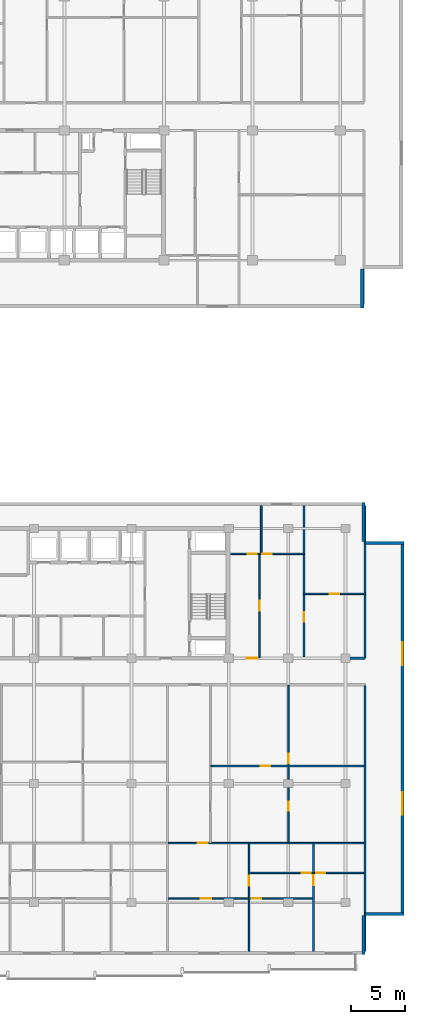
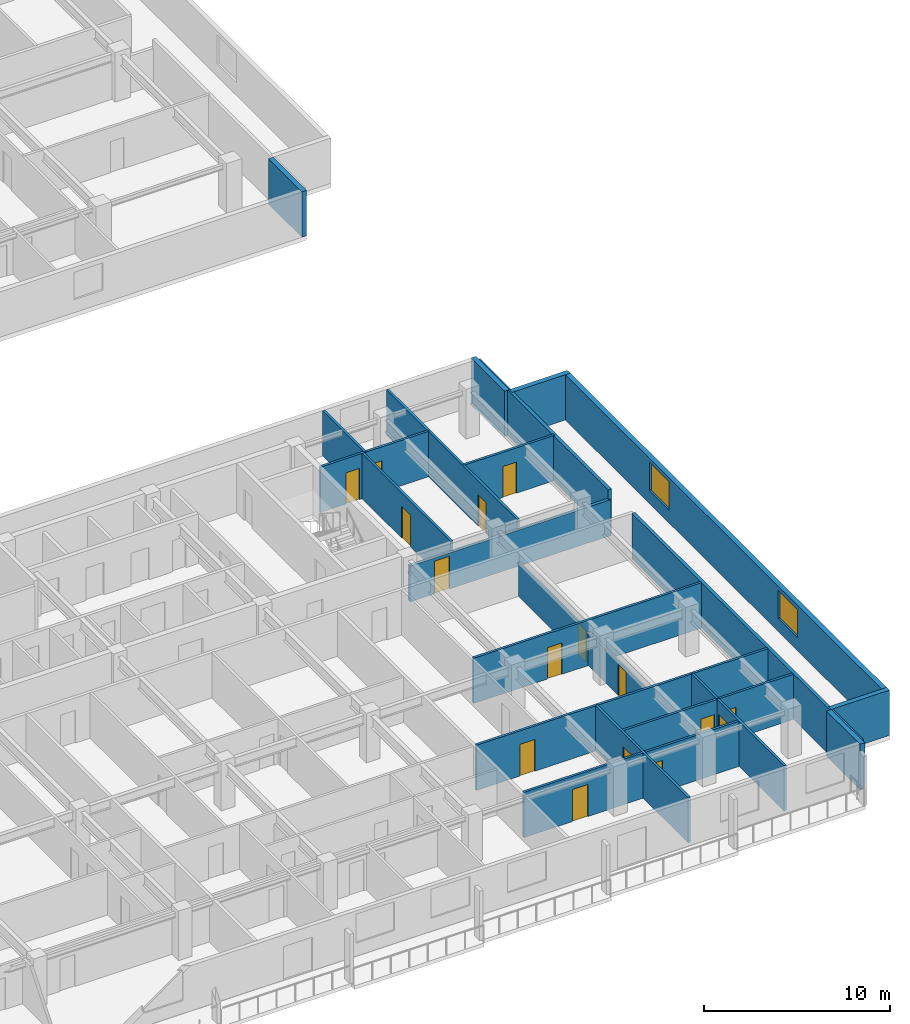
# One storey, part 9 of 21: 22 walls, 16 doors, 2 windows, 18 openings.
"""IFC4 building model written with IfcOpenShell, lengths in metres."""

from ifc_helpers import new_model, si_unit, direction, frame, frame_2d, origin, place, context, subcontext, project, spatial, rectangle, extrude, material, layer, layer_set, type_object, element, fill, save


model = new_model("IFC4")

# Units and contexts
model_context = context("Model", 3, precision=1e-05, world=origin(), true_north=direction((0.0, 1.0)))
body_context = subcontext(model_context, "Body", "Model", "MODEL_VIEW")
ifc_project = project(units=[si_unit("LENGTHUNIT", "METRE"), si_unit("AREAUNIT", "SQUARE_METRE"), si_unit("VOLUMEUNIT", "CUBIC_METRE"), si_unit("PLANEANGLEUNIT", "RADIAN"), si_unit("MASSUNIT", "GRAM", prefix="KILO")], contexts=[model_context])

# Site, building, storey
site_placement = place(None, origin())
site = spatial("IfcSite", under=ifc_project, at=site_placement, CompositionType="ELEMENT")
building_placement = place(site_placement, origin())
building = spatial("IfcBuilding", under=site, at=building_placement, Name="Korimba Cascade Residences", CompositionType="ELEMENT")
storey_placement = place(building_placement, frame((0.0, 0.0, 116.550048828125)))
storey = spatial("IfcBuildingStorey", under=building, at=storey_placement, Name="L33", CompositionType="ELEMENT", Elevation=116.550048828125)

# Walls
ifc_material_1 = material(Name="Precast concrete C40/50", Category="concrete")
ifc_layer_1 = layer(ifc_material_1, 0.300048828125)
ifc_layer_set_1 = layer_set([ifc_layer_1], Name="Precast concrete C40/50")
wall_type_1 = type_object("IfcWallType", Name="EW-STONE-300", PredefinedType="STANDARD", material=ifc_layer_set_1)
wall_1_placement = place(storey_placement, frame((130.449951171875, 50.800048828125, 0.0), z_axis=(0.0, 0.0, 1.0), x_axis=(0.0, 1.0, 0.0)))
element("IfcWall", 1, at=wall_1_placement, inside=storey, type_object=wall_type_1, Name="L33 T1 Perimeter Stone Wall E01", PredefinedType="STANDARD", context=body_context, shape_type="SweptSolid", body=[
    extrude(rectangle(XDim=3.599853515625, YDim=0.300048828125, at=frame_2d((1.7998046875, 0.0))), origin(), (0.0, 0.0, 1.0), 2.969970703125),
])
for number, where, z_axis, x_axis, name in (
    (2, (130.550048828125, -9.0, 0.0), (0.0, 0.0, 1.0), (0.0, 1.0, 0.0), "L33 T2 Perimeter Stone Wall E01"),
    (3, (130.699951171875, -5.25, 0.0), (0.0, 0.0, 1.0), (1.0, 0.0, 0.0), "L33 T2 Perimeter Stone Wall E02"),
):
    element("IfcWall", number, at=place(storey_placement, frame(where, z_axis=z_axis, x_axis=x_axis)), inside=storey, type_object=wall_type_1, Name=name, PredefinedType="STANDARD", context=body_context, shape_type="SweptSolid", body=[
        extrude(rectangle(XDim=3.60009765625, YDim=0.300048828125, at=frame_2d((1.800048828125, 0.0))), origin(), (0.0, 0.0, 1.0), 2.969970703125),
    ])

# Wall, openings, windows
wall_2_placement = place(storey_placement, frame((134.14990234375, -5.39990234375, 0.0), z_axis=(0.0, 0.0, 1.0), x_axis=(0.0, 1.0, 0.0)))
wall_2 = element("IfcWall", 4, at=wall_2_placement, inside=storey, type_object=wall_type_1, Name="L33 T2 Perimeter Stone Wall E03", PredefinedType="STANDARD", context=body_context, shape_type="SweptSolid", body=[
    extrude(rectangle(XDim=34.599853515625, YDim=0.300048828125, at=frame_2d((17.2998046875, 0.0))), origin(), (0.0, 0.0, 1.0), 2.969970703125),
])
opening_1_placement = place(wall_2_placement, frame((9.330078125, 0.0, 0.85009765625)))
opening_1 = element("IfcOpeningElement", 5, at=opening_1_placement, cuts=wall_2, Name="Opening W-03", PredefinedType="OPENING", context=body_context, shape_type="SweptSolid", body=[
    extrude(rectangle(XDim=2.10009765625, YDim=1.85009765625, at=frame_2d((1.050048828125, 0.925048828125))), frame((0.0, 0.16015625, 0.0), z_axis=(0.0, -1.0, 0.0), x_axis=(1.0, 0.0, 0.0)), (0.0, 0.0, 1.0), 0.320068359375),
])
opening_2_placement = place(wall_2_placement, frame((23.169921875, 0.0, 0.85009765625)))
opening_2 = element("IfcOpeningElement", 6, at=opening_2_placement, cuts=wall_2, Name="Opening W-03", PredefinedType="OPENING", context=body_context, shape_type="SweptSolid", body=[
    extrude(rectangle(XDim=2.10009765625, YDim=1.85009765625, at=frame_2d((1.050048828125, 0.925048828125))), frame((0.0, 0.16015625, 0.0), z_axis=(0.0, -1.0, 0.0), x_axis=(1.0, 0.0, 0.0)), (0.0, 0.0, 1.0), 0.320068359375),
])
ifc_material_2 = material(Name="Double-Glazed Aluminium Window", Category="aluminium")
window_type = type_object("IfcWindowType", Name="WIN-CRN-2100", PartitioningType="DOUBLE_PANEL_HORIZONTAL", PredefinedType="WINDOW", material=ifc_material_2)
window_1_placement = place(opening_1_placement, origin())
window_1 = element("IfcWindow", 7, at=window_1_placement, inside=storey, type_object=window_type, Name="L33 T2 End View Window 3.1", OverallHeight=1.85009765625, OverallWidth=2.10009765625, PartitioningType="DOUBLE_PANEL_HORIZONTAL", PredefinedType="WINDOW", context=body_context, shape_type="SweptSolid", body=[
    extrude(rectangle(XDim=2.10009765625, YDim=1.85009765625, at=frame_2d((1.050048828125, 0.925048828125))), frame((0.0, 0.030029296875, 0.0), z_axis=(0.0, -1.0, 0.0), x_axis=(1.0, 0.0, 0.0)), (0.0, 0.0, 1.0), 0.06005859375),
])
fill(opening_1, window_1)
window_2_placement = place(opening_2_placement, origin())
window_2 = element("IfcWindow", 8, at=window_2_placement, inside=storey, type_object=window_type, Name="L33 T2 End View Window 3.2", OverallHeight=1.85009765625, OverallWidth=2.10009765625, PartitioningType="DOUBLE_PANEL_HORIZONTAL", PredefinedType="WINDOW", context=body_context, shape_type="SweptSolid", body=[
    extrude(rectangle(XDim=2.10009765625, YDim=1.85009765625, at=frame_2d((1.050048828125, 0.925048828125))), frame((0.0, 0.030029296875, 0.0), z_axis=(0.0, -1.0, 0.0), x_axis=(1.0, 0.0, 0.0)), (0.0, 0.0, 1.0), 0.06005859375),
])
fill(opening_2, window_2)

# Walls
for number, where, z_axis, x_axis, name in (
    (9, (134.300048828125, 29.050048828125, 0.0), (0.0, 0.0, 1.0), (-1.0, 0.0, 0.0), "L33 T2 Perimeter Stone Wall E04"),
    (10, (130.550048828125, 29.199951171875, 0.0), (0.0, 0.0, 1.0), (0.0, 1.0, 0.0), "L33 T2 Perimeter Stone Wall E05"),
):
    element("IfcWall", number, at=place(storey_placement, frame(where, z_axis=z_axis, x_axis=x_axis)), inside=storey, type_object=wall_type_1, Name=name, PredefinedType="STANDARD", context=body_context, shape_type="SweptSolid", body=[
        extrude(rectangle(XDim=3.60009765625, YDim=0.300048828125, at=frame_2d((1.800048828125, 0.0))), origin(), (0.0, 0.0, 1.0), 2.969970703125),
    ])
ifc_layer_2 = layer(ifc_material_1, 0.199951171875)
ifc_layer_set_2 = layer_set([ifc_layer_2], Name="Precast concrete C40/50")
wall_type_2 = type_object("IfcWallType", Name="WAL-IT-200", PredefinedType="PARTITIONING", material=ifc_layer_set_2)
wall_3_placement = place(storey_placement, frame((130.699951171875, 18.39990234375, 0.0), z_axis=(0.0, 0.0, 1.0), x_axis=(0.0, 1.0, 0.0)))
element("IfcWall", 11, at=wall_3_placement, inside=storey, type_object=wall_type_2, Name="L33 Partition Wall WAL-L33-T2-FE-WR", PredefinedType="PARTITIONING", context=body_context, shape_type="SweptSolid", body=[
    extrude(rectangle(XDim=14.10009765625, YDim=0.199951171875, at=frame_2d((7.050048828125, 0.0))), origin(), (0.0, 0.0, 1.0), 2.969970703125),
])

# Wall, opening, door
wall_4_placement = place(storey_placement, frame((118.25, 18.39990234375, 0.0), z_axis=(0.0, 0.0, 1.0), x_axis=(1.0, 0.0, 0.0)))
wall_4 = element("IfcWall", 12, at=wall_4_placement, inside=storey, type_object=wall_type_2, Name="L33 Partition Wall WAL-L33-T2-FE-S", PredefinedType="PARTITIONING", context=body_context, shape_type="SweptSolid", body=[
    extrude(rectangle(XDim=12.449951171875, YDim=0.199951171875, at=frame_2d((6.22509765625, 0.0))), origin(), (0.0, 0.0, 1.0), 2.357666015625),
])
opening_3_placement = place(wall_4_placement, frame((1.510009765625, 0.0, 0.0)))
opening_3 = element("IfcOpeningElement", 13, at=opening_3_placement, cuts=wall_4, Name="Opening D-UN1", PredefinedType="OPENING", context=body_context, shape_type="SweptSolid", body=[
    extrude(rectangle(XDim=0.949951171875, YDim=2.14990234375, at=frame_2d((0.47509765625, 1.074951171875))), frame((0.0, 0.10986328125, 0.0), z_axis=(0.0, -1.0, 0.0), x_axis=(1.0, 0.0, 0.0)), (0.0, 0.0, 1.0), 0.219970703125),
])
ifc_material_3 = material(Name="Fire-Rated Hardwood Apartment Entrance Door", Category="wood")
door_type_1 = type_object("IfcDoorType", Name="DR-FD60-950", OperationType="NOTDEFINED", PredefinedType="DOOR", material=ifc_material_3)
door_1_placement = place(opening_3_placement, origin())
door_1 = element("IfcDoor", 14, at=door_1_placement, inside=storey, type_object=door_type_1, Name="L33-T2-FE Entrance Door", OperationType="SINGLE_SWING_LEFT", OverallHeight=2.14990234375, OverallWidth=0.949951171875, PredefinedType="DOOR", context=body_context, shape_type="SweptSolid", body=[
    extrude(rectangle(XDim=0.949951171875, YDim=2.14990234375, at=frame_2d((0.47509765625, 1.074951171875))), frame((0.0, 0.02490234375, 0.0), z_axis=(0.0, -1.0, 0.0), x_axis=(1.0, 0.0, 0.0)), (0.0, 0.0, 1.0), 0.050048828125),
])
fill(opening_3, door_1)

# Wall
wall_5_placement = place(storey_placement, frame((130.699951171875, -8.699951171875, 0.0), z_axis=(0.0, 0.0, 1.0), x_axis=(0.0, 1.0, 0.0)))
element("IfcWall", 15, at=wall_5_placement, inside=storey, type_object=wall_type_2, Name="L33 Partition Wall WAL-L33-T2-BNDWR", PredefinedType="PARTITIONING", context=body_context, shape_type="SweptSolid", body=[
    extrude(rectangle(XDim=24.570068359375, YDim=0.199951171875, at=frame_2d((12.28515625, 0.0))), origin(), (0.0, 0.0, 1.0), 2.969970703125),
])

# Wall, opening, door
ifc_material_4 = material(Name="Insulated Acoustic Stud Partition", Category="gypsum")
ifc_layer_3 = layer(ifc_material_4, 0.14990234375)
ifc_layer_set_3 = layer_set([ifc_layer_3], Name="Insulated Acoustic Stud Partition")
wall_type_3 = type_object("IfcWallType", Name="WAL-PART-150", PredefinedType="PARTITIONING", material=ifc_layer_set_3)
wall_6_placement = place(storey_placement, frame((125.050048828125, 24.35009765625, 0.0), z_axis=(0.0, 0.0, 1.0), x_axis=(1.0, 0.0, 0.0)))
wall_6 = element("IfcWall", 16, at=wall_6_placement, inside=storey, type_object=wall_type_3, Name="L33 Partition Wall WAL-L33-T2-FE-STH", PredefinedType="PARTITIONING", context=body_context, shape_type="SweptSolid", body=[
    extrude(rectangle(XDim=5.64990234375, YDim=0.14990234375, at=frame_2d((2.824951171875, 0.0))), origin(), (0.0, 0.0, 1.0), 2.969970703125),
])
opening_4_placement = place(wall_6_placement, frame((2.405029296875, 0.0, 0.0)))
opening_4 = element("IfcOpeningElement", 17, at=opening_4_placement, cuts=wall_6, Name="Opening D-BT1", PredefinedType="OPENING", context=body_context, shape_type="SweptSolid", body=[
    extrude(rectangle(XDim=0.840087890625, YDim=2.0400390625, at=frame_2d((0.419921875, 1.02001953125))), frame((0.0, 0.0849609375, 0.0), z_axis=(0.0, -1.0, 0.0), x_axis=(1.0, 0.0, 0.0)), (0.0, 0.0, 1.0), 0.169921875),
])
ifc_material_5 = material(Name="Moisture-Resistant Bathroom Timber Door", Category="wood")
door_type_2 = type_object("IfcDoorType", Name="DR-INT-850", OperationType="NOTDEFINED", PredefinedType="DOOR", material=ifc_material_5)
door_2_placement = place(opening_4_placement, origin())
door_2 = element("IfcDoor", 18, at=door_2_placement, inside=storey, type_object=door_type_2, Name="L33-T2-FE Dressing Store Door", OperationType="SINGLE_SWING_RIGHT", OverallHeight=2.0400390625, OverallWidth=0.840087890625, PredefinedType="DOOR", context=body_context, shape_type="SweptSolid", body=[
    extrude(rectangle(XDim=0.840087890625, YDim=2.0400390625, at=frame_2d((0.419921875, 1.02001953125))), frame((0.0, 0.02490234375, 0.0), z_axis=(0.0, -1.0, 0.0), x_axis=(1.0, 0.0, 0.0)), (0.0, 0.0, 1.0), 0.050048828125),
])
fill(opening_4, door_2)

wall_7_placement = place(storey_placement, frame((125.050048828125, 18.449951171875, 0.0), z_axis=(0.0, 0.0, 1.0), x_axis=(0.0, 1.0, 0.0)))
wall_7 = element("IfcWall", 19, at=wall_7_placement, inside=storey, type_object=wall_type_3, Name="L33 Partition Wall WAL-L33-T2-FE-STV", PredefinedType="PARTITIONING", context=body_context, shape_type="SweptSolid", body=[
    extrude(rectangle(XDim=14.050048828125, YDim=0.14990234375, at=frame_2d((7.02490234375, 0.0))), origin(), (0.0, 0.0, 1.0), 2.969970703125),
])
opening_5_placement = place(wall_7_placement, frame((3.320068359375, 0.0, 0.0)))
opening_5 = element("IfcOpeningElement", 20, at=opening_5_placement, cuts=wall_7, Name="Opening D-IN2", PredefinedType="OPENING", context=body_context, shape_type="SweptSolid", body=[
    extrude(rectangle(XDim=0.8798828125, YDim=2.06005859375, at=frame_2d((0.43994140625, 1.030029296875))), frame((0.0, 0.0849609375, 0.0), z_axis=(0.0, -1.0, 0.0), x_axis=(1.0, 0.0, 0.0)), (0.0, 0.0, 1.0), 0.169921875),
])
ifc_material_6 = material(Name="Acoustic Timber Bedroom Door", Category="wood")
door_type_3 = type_object("IfcDoorType", Name="DR-INT-880", OperationType="NOTDEFINED", PredefinedType="DOOR", material=ifc_material_6)
door_3_placement = place(opening_5_placement, origin())
door_3 = element("IfcDoor", 21, at=door_3_placement, inside=storey, type_object=door_type_3, Name="L33-T2-FE Study Door", OperationType="SINGLE_SWING_LEFT", OverallHeight=2.06005859375, OverallWidth=0.8798828125, PredefinedType="DOOR", context=body_context, shape_type="SweptSolid", body=[
    extrude(rectangle(XDim=0.8798828125, YDim=2.06005859375, at=frame_2d((0.43994140625, 1.030029296875))), frame((0.0, 0.02490234375, 0.0), z_axis=(0.0, -1.0, 0.0), x_axis=(1.0, 0.0, 0.0)), (0.0, 0.0, 1.0), 0.050048828125),
])
fill(opening_5, door_3)

wall_8_placement = place(storey_placement, frame((120.929931640625, 18.449951171875, 0.0), z_axis=(0.0, 0.0, 1.0), x_axis=(0.0, 1.0, 0.0)))
wall_8 = element("IfcWall", 22, at=wall_8_placement, inside=storey, type_object=wall_type_3, Name="L33 Partition Wall WAL-L33-T2-FE-VS", PredefinedType="PARTITIONING", context=body_context, shape_type="SweptSolid", body=[
    extrude(rectangle(XDim=9.60009765625, YDim=0.14990234375, at=frame_2d((4.800048828125, 0.0))), origin(), (0.0, 0.0, 1.0), 2.969970703125),
])
opening_6_placement = place(wall_8_placement, frame((4.340087890625, 0.0, 0.0)))
opening_6 = element("IfcOpeningElement", 23, at=opening_6_placement, cuts=wall_8, Name="Opening D-IN1", PredefinedType="OPENING", context=body_context, shape_type="SweptSolid", body=[
    extrude(rectangle(XDim=0.919921875, YDim=2.080078125, at=frame_2d((0.4599609375, 1.0400390625))), frame((0.0, 0.0849609375, 0.0), z_axis=(0.0, -1.0, 0.0), x_axis=(1.0, 0.0, 0.0)), (0.0, 0.0, 1.0), 0.169921875),
])
ifc_material_7 = material(Name="Acoustic Timber Living Door", Category="wood")
door_type_4 = type_object("IfcDoorType", Name="DR-INT-920", OperationType="NOTDEFINED", PredefinedType="DOOR", material=ifc_material_7)
door_4_placement = place(opening_6_placement, origin())
door_4 = element("IfcDoor", 24, at=door_4_placement, inside=storey, type_object=door_type_4, Name="L33-T2-FE Living Door", OperationType="SINGLE_SWING_RIGHT", OverallHeight=2.080078125, OverallWidth=0.919921875, PredefinedType="DOOR", context=body_context, shape_type="SweptSolid", body=[
    extrude(rectangle(XDim=0.919921875, YDim=2.080078125, at=frame_2d((0.4599609375, 1.0400390625))), frame((0.0, 0.02490234375, 0.0), z_axis=(0.0, -1.0, 0.0), x_axis=(1.0, 0.0, 0.0)), (0.0, 0.0, 1.0), 0.050048828125),
])
fill(opening_6, door_4)

# Wall
wall_9_placement = place(storey_placement, frame((121.10009765625, 28.050048828125, 0.0), z_axis=(0.0, 0.0, 1.0), x_axis=(0.0, 1.0, 0.0)))
element("IfcWall", 25, at=wall_9_placement, inside=storey, type_object=wall_type_3, Name="L33 Partition Wall WAL-L33-T2-FE-VN", PredefinedType="PARTITIONING", context=body_context, shape_type="SweptSolid", body=[
    extrude(rectangle(XDim=4.449951171875, YDim=0.14990234375, at=frame_2d((2.22509765625, 0.0))), origin(), (0.0, 0.0, 1.0), 2.969970703125),
])

# Wall, openings, doors
wall_10_placement = place(storey_placement, frame((118.27001953125, 28.050048828125, 0.0), z_axis=(0.0, 0.0, 1.0), x_axis=(1.0, 0.0, 0.0)))
wall_10 = element("IfcWall", 26, at=wall_10_placement, inside=storey, type_object=wall_type_3, Name="L33 Partition Wall WAL-L33-T2-FE-H", PredefinedType="PARTITIONING", context=body_context, shape_type="SweptSolid", body=[
    extrude(rectangle(XDim=6.760009765625, YDim=0.14990234375, at=frame_2d((3.3798828125, 0.0))), origin(), (0.0, 0.0, 1.0), 2.969970703125),
])
opening_7_placement = place(wall_10_placement, frame((1.58740234375, 0.0, 0.0)))
opening_7 = element("IfcOpeningElement", 27, at=opening_7_placement, cuts=wall_10, Name="Opening D-BT1", PredefinedType="OPENING", context=body_context, shape_type="SweptSolid", body=[
    extrude(rectangle(XDim=0.840087890625, YDim=2.0400390625, at=frame_2d((0.419921875, 1.02001953125))), frame((0.0, 0.0849609375, 0.0), z_axis=(0.0, -1.0, 0.0), x_axis=(1.0, 0.0, 0.0)), (0.0, 0.0, 1.0), 0.169921875),
])
opening_8_placement = place(wall_10_placement, frame((2.93994140625, 0.0, 0.0)))
opening_8 = element("IfcOpeningElement", 28, at=opening_8_placement, cuts=wall_10, Name="Opening D-IN2", PredefinedType="OPENING", context=body_context, shape_type="SweptSolid", body=[
    extrude(rectangle(XDim=0.8798828125, YDim=2.06005859375, at=frame_2d((0.43994140625, 1.030029296875))), frame((0.0, 0.0849609375, 0.0), z_axis=(0.0, -1.0, 0.0), x_axis=(1.0, 0.0, 0.0)), (0.0, 0.0, 1.0), 0.169921875),
])
door_5_placement = place(opening_7_placement, origin())
door_5 = element("IfcDoor", 29, at=door_5_placement, inside=storey, type_object=door_type_2, Name="L33-T2-FE Bathroom Door", OperationType="SINGLE_SWING_LEFT", OverallHeight=2.0400390625, OverallWidth=0.840087890625, PredefinedType="DOOR", context=body_context, shape_type="SweptSolid", body=[
    extrude(rectangle(XDim=0.840087890625, YDim=2.0400390625, at=frame_2d((0.419921875, 1.02001953125))), frame((0.0, 0.02490234375, 0.0), z_axis=(0.0, -1.0, 0.0), x_axis=(1.0, 0.0, 0.0)), (0.0, 0.0, 1.0), 0.050048828125),
])
fill(opening_7, door_5)
door_6_placement = place(opening_8_placement, origin())
door_6 = element("IfcDoor", 30, at=door_6_placement, inside=storey, type_object=door_type_3, Name="L33-T2-FE Bedroom Door", OperationType="SINGLE_SWING_RIGHT", OverallHeight=2.06005859375, OverallWidth=0.8798828125, PredefinedType="DOOR", context=body_context, shape_type="SweptSolid", body=[
    extrude(rectangle(XDim=0.8798828125, YDim=2.06005859375, at=frame_2d((0.43994140625, 1.030029296875))), frame((0.0, 0.02490234375, 0.0), z_axis=(0.0, -1.0, 0.0), x_axis=(1.0, 0.0, 0.0)), (0.0, 0.0, 1.0), 0.050048828125),
])
fill(opening_8, door_6)

wall_11_placement = place(storey_placement, frame((123.636474609375, 1.340087890625, 0.0), z_axis=(0.0, 0.0, 1.0), x_axis=(0.0, 1.0, 0.0)))
wall_11 = element("IfcWall", 31, at=wall_11_placement, inside=storey, type_object=wall_type_3, Name="L33 Partition Wall WAL-L33-T2-U03-FMV", PredefinedType="PARTITIONING", context=body_context, shape_type="SweptSolid", body=[
    extrude(rectangle(XDim=14.5498046875, YDim=0.14990234375, at=frame_2d((7.27490234375, 0.0))), origin(), (0.0, 0.0, 1.0), 2.2001953125),
])
opening_9_placement = place(wall_11_placement, frame((2.951416015625, 0.0, 0.0)))
opening_9 = element("IfcOpeningElement", 32, at=opening_9_placement, cuts=wall_11, Name="Opening D-BT1", PredefinedType="OPENING", context=body_context, shape_type="SweptSolid", body=[
    extrude(rectangle(XDim=0.840087890625, YDim=2.0400390625, at=frame_2d((0.419921875, 1.02001953125))), frame((0.0, 0.0849609375, 0.0), z_axis=(0.0, -1.0, 0.0), x_axis=(1.0, 0.0, 0.0)), (0.0, 0.0, 1.0), 0.169921875),
])
opening_10_placement = place(wall_11_placement, frame((7.344970703125, 0.0, 0.0)))
opening_10 = element("IfcOpeningElement", 33, at=opening_10_placement, cuts=wall_11, Name="Opening D-IN2", PredefinedType="OPENING", context=body_context, shape_type="SweptSolid", body=[
    extrude(rectangle(XDim=0.8798828125, YDim=2.06005859375, at=frame_2d((0.43994140625, 1.030029296875))), frame((0.0, 0.0849609375, 0.0), z_axis=(0.0, -1.0, 0.0), x_axis=(1.0, 0.0, 0.0)), (0.0, 0.0, 1.0), 0.169921875),
])
door_7_placement = place(opening_9_placement, origin())
door_7 = element("IfcDoor", 34, at=door_7_placement, inside=storey, type_object=door_type_2, Name="L33-T2-U03 Wardrobe Door", OperationType="SINGLE_SWING_LEFT", OverallHeight=2.0400390625, OverallWidth=0.840087890625, PredefinedType="DOOR", context=body_context, shape_type="SweptSolid", body=[
    extrude(rectangle(XDim=0.840087890625, YDim=2.0400390625, at=frame_2d((0.419921875, 1.02001953125))), frame((0.0, 0.02490234375, 0.0), z_axis=(0.0, -1.0, 0.0), x_axis=(1.0, 0.0, 0.0)), (0.0, 0.0, 1.0), 0.050048828125),
])
fill(opening_9, door_7)
door_8_placement = place(opening_10_placement, origin())
door_8 = element("IfcDoor", 35, at=door_8_placement, inside=storey, type_object=door_type_3, Name="L33-T2-U03 Music Lounge Door", OperationType="SINGLE_SWING_RIGHT", OverallHeight=2.06005859375, OverallWidth=0.8798828125, PredefinedType="DOOR", context=body_context, shape_type="SweptSolid", body=[
    extrude(rectangle(XDim=0.8798828125, YDim=2.06005859375, at=frame_2d((0.43994140625, 1.030029296875))), frame((0.0, 0.02490234375, 0.0), z_axis=(0.0, -1.0, 0.0), x_axis=(1.0, 0.0, 0.0)), (0.0, 0.0, 1.0), 0.050048828125),
])
fill(opening_10, door_8)

# Wall, opening, door
wall_12_placement = place(storey_placement, frame((116.45263671875, 8.43505859375, 0.0), z_axis=(0.0, 0.0, 1.0), x_axis=(1.0, 0.0, 0.0)))
wall_12 = element("IfcWall", 36, at=wall_12_placement, inside=storey, type_object=wall_type_3, Name="L33 Partition Wall WAL-L33-T2-U03-FMH", PredefinedType="PARTITIONING", context=body_context, shape_type="SweptSolid", body=[
    extrude(rectangle(XDim=14.16748046875, YDim=0.14990234375, at=frame_2d((7.083740234375, 0.0))), origin(), (0.0, 0.0, 1.0), 2.969970703125),
])
opening_11_placement = place(wall_12_placement, frame((4.593017578125, 0.0, 0.0)))
opening_11 = element("IfcOpeningElement", 37, at=opening_11_placement, cuts=wall_12, Name="Opening D-IN2", PredefinedType="OPENING", context=body_context, shape_type="SweptSolid", body=[
    extrude(rectangle(XDim=0.8798828125, YDim=2.06005859375, at=frame_2d((0.43994140625, 1.030029296875))), frame((0.0, 0.0849609375, 0.0), z_axis=(0.0, -1.0, 0.0), x_axis=(1.0, 0.0, 0.0)), (0.0, 0.0, 1.0), 0.169921875),
])
door_9_placement = place(opening_11_placement, origin())
door_9 = element("IfcDoor", 38, at=door_9_placement, inside=storey, type_object=door_type_3, Name="L33-T2-U03 Library Salon Door", OperationType="SINGLE_SWING_LEFT", OverallHeight=2.06005859375, OverallWidth=0.8798828125, PredefinedType="DOOR", context=body_context, shape_type="SweptSolid", body=[
    extrude(rectangle(XDim=0.8798828125, YDim=2.06005859375, at=frame_2d((0.43994140625, 1.030029296875))), frame((0.0, 0.02490234375, 0.0), z_axis=(0.0, -1.0, 0.0), x_axis=(1.0, 0.0, 0.0)), (0.0, 0.0, 1.0), 0.050048828125),
])
fill(opening_11, door_9)

wall_13_placement = place(storey_placement, frame((119.97998046875, -8.699951171875, 0.0), z_axis=(0.0, 0.0, 1.0), x_axis=(0.0, 1.0, 0.0)))
wall_13 = element("IfcWall", 39, at=wall_13_placement, inside=storey, type_object=wall_type_3, Name="L33 Partition Wall WAL-L33-T2-U03-V1", PredefinedType="PARTITIONING", context=body_context, shape_type="SweptSolid", body=[
    extrude(rectangle(XDim=9.9599609375, YDim=0.14990234375, at=frame_2d((4.97998046875, 0.0))), origin(), (0.0, 0.0, 1.0), 2.969970703125),
])
opening_12_placement = place(wall_13_placement, frame((6.050048828125, 0.0, 0.0)))
opening_12 = element("IfcOpeningElement", 40, at=opening_12_placement, cuts=wall_13, Name="Opening D-IN1", PredefinedType="OPENING", context=body_context, shape_type="SweptSolid", body=[
    extrude(rectangle(XDim=0.919921875, YDim=2.080078125, at=frame_2d((0.4599609375, 1.0400390625))), frame((0.0, 0.0849609375, 0.0), z_axis=(0.0, -1.0, 0.0), x_axis=(1.0, 0.0, 0.0)), (0.0, 0.0, 1.0), 0.169921875),
])
door_10_placement = place(opening_12_placement, origin())
door_10 = element("IfcDoor", 41, at=door_10_placement, inside=storey, type_object=door_type_4, Name="L33-T2-U03 Hallway Door", OperationType="SINGLE_SWING_LEFT", OverallHeight=2.080078125, OverallWidth=0.919921875, PredefinedType="DOOR", context=body_context, shape_type="SweptSolid", body=[
    extrude(rectangle(XDim=0.919921875, YDim=2.080078125, at=frame_2d((0.4599609375, 1.0400390625))), frame((0.0, 0.02490234375, 0.0), z_axis=(0.0, -1.0, 0.0), x_axis=(1.0, 0.0, 0.0)), (0.0, 0.0, 1.0), 0.050048828125),
])
fill(opening_12, door_10)

# Wall
wall_14_placement = place(storey_placement, frame((125.929931640625, -1.429931640625, 0.0), z_axis=(0.0, 0.0, 1.0), x_axis=(0.0, 1.0, 0.0)))
element("IfcWall", 42, at=wall_14_placement, inside=storey, type_object=wall_type_3, Name="L33 Partition Wall WAL-L33-T2-U03-VBATH", PredefinedType="PARTITIONING", context=body_context, shape_type="SweptSolid", body=[
    extrude(rectangle(XDim=2.68994140625, YDim=0.14990234375, at=frame_2d((1.344970703125, 0.0))), origin(), (0.0, 0.0, 1.0), 2.969970703125),
])

# Wall, opening, door
wall_15_placement = place(storey_placement, frame((125.929931640625, -8.699951171875, 0.0), z_axis=(0.0, 0.0, 1.0), x_axis=(0.0, 1.0, 0.0)))
wall_15 = element("IfcWall", 43, at=wall_15_placement, inside=storey, type_object=wall_type_3, Name="L33 Partition Wall WAL-L33-T2-U03-V2FULL", PredefinedType="PARTITIONING", context=body_context, shape_type="SweptSolid", body=[
    extrude(rectangle(XDim=7.22998046875, YDim=0.14990234375, at=frame_2d((3.614990234375, 0.0))), origin(), (0.0, 0.0, 1.0), 2.969970703125),
])
opening_13_placement = place(wall_15_placement, frame((6.110107421875, 0.0, 0.0)))
opening_13 = element("IfcOpeningElement", 44, at=opening_13_placement, cuts=wall_15, Name="Opening D-IN1", PredefinedType="OPENING", context=body_context, shape_type="SweptSolid", body=[
    extrude(rectangle(XDim=0.919921875, YDim=2.080078125, at=frame_2d((0.4599609375, 1.0400390625))), frame((0.0, 0.0849609375, 0.0), z_axis=(0.0, -1.0, 0.0), x_axis=(1.0, 0.0, 0.0)), (0.0, 0.0, 1.0), 0.169921875),
])
door_11_placement = place(opening_13_placement, origin())
door_11 = element("IfcDoor", 45, at=door_11_placement, inside=storey, type_object=door_type_4, Name="L33-T2-U03 Master Bedroom Door", OperationType="SINGLE_SWING_RIGHT", OverallHeight=2.080078125, OverallWidth=0.919921875, PredefinedType="DOOR", context=body_context, shape_type="SweptSolid", body=[
    extrude(rectangle(XDim=0.919921875, YDim=2.080078125, at=frame_2d((0.4599609375, 1.0400390625))), frame((0.0, 0.02490234375, 0.0), z_axis=(0.0, -1.0, 0.0), x_axis=(1.0, 0.0, 0.0)), (0.0, 0.0, 1.0), 0.050048828125),
])
fill(opening_13, door_11)

# Wall, openings, doors
wall_16_placement = place(storey_placement, frame((120.02001953125, -1.449951171875, 0.0), z_axis=(0.0, 0.0, 1.0), x_axis=(1.0, 0.0, 0.0)))
wall_16 = element("IfcWall", 46, at=wall_16_placement, inside=storey, type_object=wall_type_3, Name="L33 Partition Wall WAL-L33-T2-U03-HWALL", PredefinedType="PARTITIONING", context=body_context, shape_type="SweptSolid", body=[
    extrude(rectangle(XDim=10.60009765625, YDim=0.14990234375, at=frame_2d((5.300048828125, 0.0))), origin(), (0.0, 0.0, 1.0), 2.969970703125),
])
opening_14_placement = place(wall_16_placement, frame((4.820068359375, 0.0, 0.0)))
opening_14 = element("IfcOpeningElement", 47, at=opening_14_placement, cuts=wall_16, Name="Opening D-BT1", PredefinedType="OPENING", context=body_context, shape_type="SweptSolid", body=[
    extrude(rectangle(XDim=0.840087890625, YDim=2.0400390625, at=frame_2d((0.419921875, 1.02001953125))), frame((0.0, 0.0849609375, 0.0), z_axis=(0.0, -1.0, 0.0), x_axis=(1.0, 0.0, 0.0)), (0.0, 0.0, 1.0), 0.169921875),
])
opening_15_placement = place(wall_16_placement, frame((6.159912109375, 0.0, 0.0)))
opening_15 = element("IfcOpeningElement", 48, at=opening_15_placement, cuts=wall_16, Name="Opening D-BT1", PredefinedType="OPENING", context=body_context, shape_type="SweptSolid", body=[
    extrude(rectangle(XDim=0.840087890625, YDim=2.0400390625, at=frame_2d((0.419921875, 1.02001953125))), frame((0.0, 0.0849609375, 0.0), z_axis=(0.0, -1.0, 0.0), x_axis=(1.0, 0.0, 0.0)), (0.0, 0.0, 1.0), 0.169921875),
])
door_12_placement = place(opening_14_placement, origin())
door_12 = element("IfcDoor", 49, at=door_12_placement, inside=storey, type_object=door_type_2, Name="L33-T2-U03 Family Bathroom Door", OperationType="SINGLE_SWING_LEFT", OverallHeight=2.0400390625, OverallWidth=0.840087890625, PredefinedType="DOOR", context=body_context, shape_type="SweptSolid", body=[
    extrude(rectangle(XDim=0.840087890625, YDim=2.0400390625, at=frame_2d((0.419921875, 1.02001953125))), frame((0.0, 0.02490234375, 0.0), z_axis=(0.0, -1.0, 0.0), x_axis=(1.0, 0.0, 0.0)), (0.0, 0.0, 1.0), 0.050048828125),
])
fill(opening_14, door_12)
door_13_placement = place(opening_15_placement, origin())
door_13 = element("IfcDoor", 50, at=door_13_placement, inside=storey, type_object=door_type_2, Name="L33-T2-U03 En-Suite Door", OperationType="SINGLE_SWING_RIGHT", OverallHeight=2.0400390625, OverallWidth=0.840087890625, PredefinedType="DOOR", context=body_context, shape_type="SweptSolid", body=[
    extrude(rectangle(XDim=0.840087890625, YDim=2.0400390625, at=frame_2d((0.419921875, 1.02001953125))), frame((0.0, 0.02490234375, 0.0), z_axis=(0.0, -1.0, 0.0), x_axis=(1.0, 0.0, 0.0)), (0.0, 0.0, 1.0), 0.050048828125),
])
fill(opening_15, door_13)

# Wall, opening, door
wall_17_placement = place(storey_placement, frame((112.502685546875, 1.300048828125, 0.0), z_axis=(0.0, 0.0, 1.0), x_axis=(1.0, 0.0, 0.0)))
wall_17 = element("IfcWall", 51, at=wall_17_placement, inside=storey, type_object=wall_type_3, Name="L33 Partition Wall WAL-L33-T2-U03-MW", PredefinedType="PARTITIONING", context=body_context, shape_type="SweptSolid", body=[
    extrude(rectangle(XDim=18.117431640625, YDim=0.14990234375, at=frame_2d((9.05859375, 0.0))), origin(), (0.0, 0.0, 1.0), 2.969970703125),
])
opening_16_placement = place(wall_17_placement, frame((2.719970703125, 0.0, 0.0)))
opening_16 = element("IfcOpeningElement", 52, at=opening_16_placement, cuts=wall_17, Name="Opening D-IN1", PredefinedType="OPENING", context=body_context, shape_type="SweptSolid", body=[
    extrude(rectangle(XDim=0.919921875, YDim=2.080078125, at=frame_2d((0.4599609375, 1.0400390625))), frame((0.0, 0.0849609375, 0.0), z_axis=(0.0, -1.0, 0.0), x_axis=(1.0, 0.0, 0.0)), (0.0, 0.0, 1.0), 0.169921875),
])
door_14_placement = place(opening_16_placement, origin())
door_14 = element("IfcDoor", 53, at=door_14_placement, inside=storey, type_object=door_type_4, Name="L33-T2-U03 Kitchen Door", OperationType="SINGLE_SWING_LEFT", OverallHeight=2.080078125, OverallWidth=0.919921875, PredefinedType="DOOR", context=body_context, shape_type="SweptSolid", body=[
    extrude(rectangle(XDim=0.919921875, YDim=2.080078125, at=frame_2d((0.4599609375, 1.0400390625))), frame((0.0, 0.02490234375, 0.0), z_axis=(0.0, -1.0, 0.0), x_axis=(1.0, 0.0, 0.0)), (0.0, 0.0, 1.0), 0.050048828125),
])
fill(opening_16, door_14)

# Wall, openings, doors
wall_18_placement = place(storey_placement, frame((112.502685546875, -3.800048828125, 0.0), z_axis=(0.0, 0.0, 1.0), x_axis=(1.0, 0.0, 0.0)))
wall_18 = element("IfcWall", 54, at=wall_18_placement, inside=storey, type_object=wall_type_3, Name="L33 Partition Wall WAL-L33-T2-U03-HZ", PredefinedType="PARTITIONING", context=body_context, shape_type="SweptSolid", body=[
    extrude(rectangle(XDim=13.42724609375, YDim=0.14990234375, at=frame_2d((6.713623046875, 0.0))), origin(), (0.0, 0.0, 1.0), 2.969970703125),
])
opening_17_placement = place(wall_18_placement, frame((3.027099609375, 0.0, 0.0)))
opening_17 = element("IfcOpeningElement", 55, at=opening_17_placement, cuts=wall_18, Name="Opening D-IN0", PredefinedType="OPENING", context=body_context, shape_type="SweptSolid", body=[
    extrude(rectangle(XDim=0.93994140625, YDim=2.10009765625, at=frame_2d((0.469970703125, 1.050048828125))), frame((0.0, 0.0849609375, 0.0), z_axis=(0.0, -1.0, 0.0), x_axis=(1.0, 0.0, 0.0)), (0.0, 0.0, 1.0), 0.169921875),
])
opening_18_placement = place(wall_18_placement, frame((7.727294921875, 0.0, 0.0)))
opening_18 = element("IfcOpeningElement", 56, at=opening_18_placement, cuts=wall_18, Name="Opening D-IN2", PredefinedType="OPENING", context=body_context, shape_type="SweptSolid", body=[
    extrude(rectangle(XDim=0.8798828125, YDim=2.06005859375, at=frame_2d((0.43994140625, 1.030029296875))), frame((0.0, 0.0849609375, 0.0), z_axis=(0.0, -1.0, 0.0), x_axis=(1.0, 0.0, 0.0)), (0.0, 0.0, 1.0), 0.169921875),
])
door_15_placement = place(opening_18_placement, origin())
door_15 = element("IfcDoor", 57, at=door_15_placement, inside=storey, type_object=door_type_3, Name="L33-T2-U03 Bedroom 2 Door", OperationType="SINGLE_SWING_LEFT", OverallHeight=2.06005859375, OverallWidth=0.8798828125, PredefinedType="DOOR", context=body_context, shape_type="SweptSolid", body=[
    extrude(rectangle(XDim=0.8798828125, YDim=2.06005859375, at=frame_2d((0.43994140625, 1.030029296875))), frame((0.0, 0.02490234375, 0.0), z_axis=(0.0, -1.0, 0.0), x_axis=(1.0, 0.0, 0.0)), (0.0, 0.0, 1.0), 0.050048828125),
])
fill(opening_18, door_15)
ifc_material_8 = material(Name="Acoustic Timber Living Archway Door", Category="wood")
door_type_5 = type_object("IfcDoorType", Name="DR-INT-950", OperationType="NOTDEFINED", PredefinedType="DOOR", material=ifc_material_8)
door_16_placement = place(opening_17_placement, origin())
door_16 = element("IfcDoor", 58, at=door_16_placement, inside=storey, type_object=door_type_5, Name="L33-T2-U03 Living Room Door", OperationType="SINGLE_SWING_RIGHT", OverallHeight=2.10009765625, OverallWidth=0.93994140625, PredefinedType="DOOR", context=body_context, shape_type="SweptSolid", body=[
    extrude(rectangle(XDim=0.93994140625, YDim=2.10009765625, at=frame_2d((0.469970703125, 1.050048828125))), frame((0.0, 0.02490234375, 0.0), z_axis=(0.0, -1.0, 0.0), x_axis=(1.0, 0.0, 0.0)), (0.0, 0.0, 1.0), 0.050048828125),
])
fill(opening_17, door_16)

save(model, "model.ifc")
